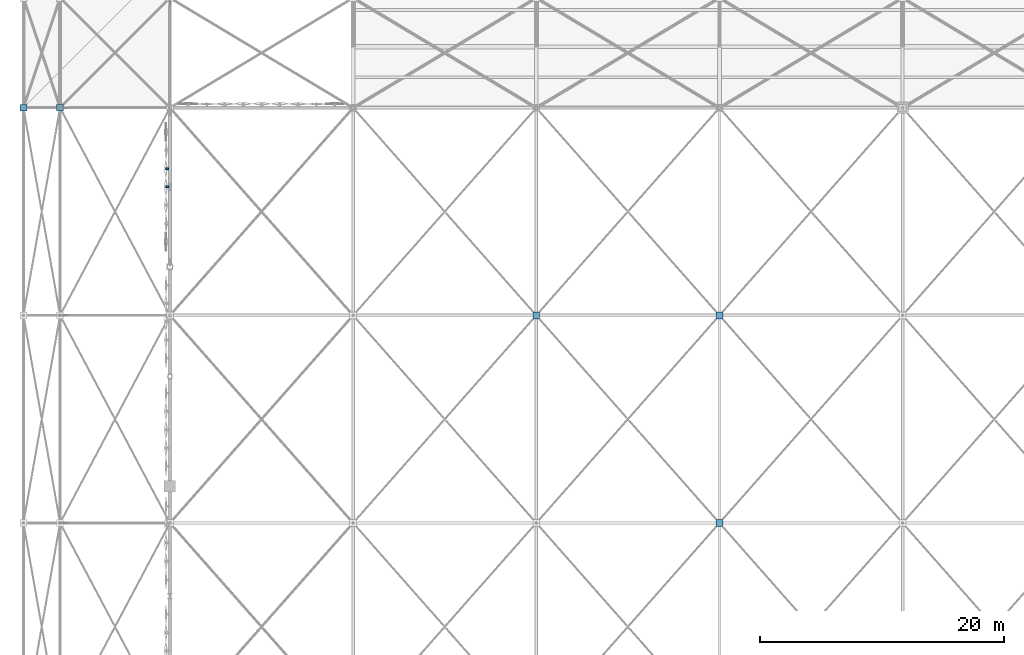
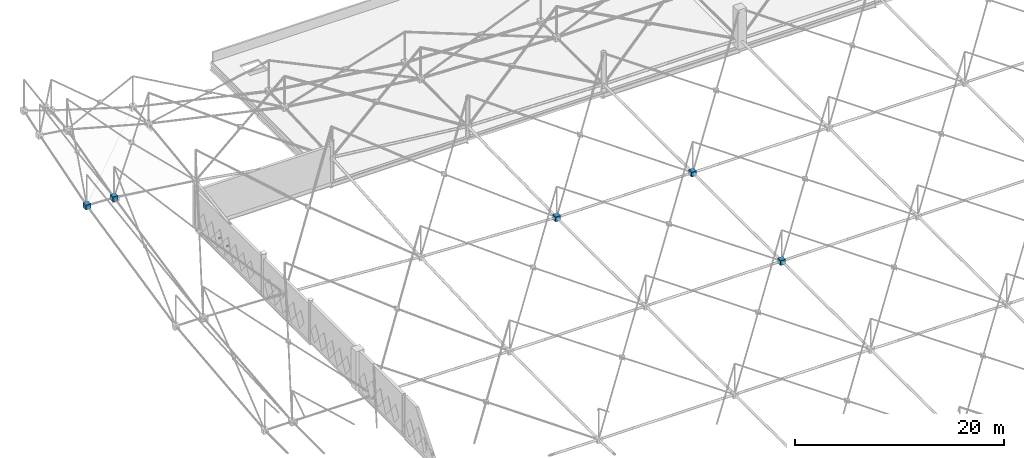
# One storey, part 209 of 224: 7 discrete accessories.
"""IFC4 building model written with IfcOpenShell, lengths in metres."""

from ifc_helpers import new_model, si_unit, direction, frame, origin, origin_2d, place, context, subcontext, project, spatial, rectangle, extrude, material, type_object, element, save


model = new_model("IFC4")

# Units and contexts
model_context = context("Model", 3, precision=1e-05, world=origin(), true_north=direction((0.0, 1.0)))
body_context = subcontext(model_context, "Body", "Model", "MODEL_VIEW")
ifc_project = project(units=[si_unit("LENGTHUNIT", "METRE"), si_unit("AREAUNIT", "SQUARE_METRE"), si_unit("VOLUMEUNIT", "CUBIC_METRE"), si_unit("PLANEANGLEUNIT", "RADIAN"), si_unit("MASSUNIT", "GRAM", prefix="KILO")], contexts=[model_context])

# Site, building, storey
site_placement = place(None, origin())
site = spatial("IfcSite", under=ifc_project, at=site_placement, CompositionType="ELEMENT")
building_placement = place(site_placement, origin())
building = spatial("IfcBuilding", under=site, at=building_placement, Name="Qamarlyn Nura Convention Centre", CompositionType="ELEMENT")
storey_placement = place(building_placement, frame((0.0, 0.0, 10.800048828125)))
storey = spatial("IfcBuildingStorey", under=building, at=storey_placement, Name="L02", CompositionType="ELEMENT", Elevation=10.800048828125)

# Discrete accessories
ifc_material_1 = material(Name="Pearl-white PVDF steel ASTM A500 Grade C", Category="steel")
discrete_accessory_type_1 = type_object("IfcDiscreteAccessoryType", Name="ACC-SF-NODE", PredefinedType="USERDEFINED", material=ifc_material_1)
for number, where, z_axis, x_axis, name in (
    (1, (-12.0, 103.0, 6.327392578125), (0.0, 0.0, 1.0), (1.0, 0.0, 0.0), "Cast space frame node BC-0-7"),
    (2, (-9.0, 103.0, 6.2255859375), (0.0, 0.0, 1.0), (1.0, 0.0, 0.0), "Cast space frame node BC-1-7"),
    (3, (30.0, 86.0, 0.548828125), (0.0, 0.0, 1.0), (1.0, 0.0, 0.0), "Cast space frame node BC-4-6"),
    (4, (45.0, 69.0, 0.52001953125), (0.0, 0.0, 1.0), (1.0, 0.0, 0.0), "Cast space frame node BC-5-5"),
    (5, (45.0, 86.0, 0.52001953125), (0.0, 0.0, 1.0), (1.0, 0.0, 0.0), "Cast space frame node BC-5-6"),
):
    element("IfcDiscreteAccessory", number, at=place(storey_placement, frame(where, z_axis=z_axis, x_axis=x_axis)), inside=storey, type_object=discrete_accessory_type_1, Name=name, ObjectType="SPACE FRAME NODE", PredefinedType="USERDEFINED", context=body_context, shape_type="SweptSolid", body=[
        extrude(rectangle(XDim=0.56005859375, YDim=0.56005859375, at=origin_2d()), origin(), (0.0, 0.0, 1.0), 0.56005859375),
    ])
ifc_material_2 = material(Name="Marine Grade 316 stainless steel", Category="steel")
discrete_accessory_type_2 = type_object("IfcDiscreteAccessoryType", Name="ACC-TILE-BRK", PredefinedType="BRACKET", material=ifc_material_2)
for number, where, z_axis, x_axis, name in (
    (6, (-0.2265625, 96.520751953125, 1.6201171875), (0.0, 0.0, 1.0), (-1.0, 0.0, 0.0), "L02 diamond tile pivot bracket 0238"),
    (7, (-0.2265625, 98.020751953125, 1.6201171875), (0.0, 0.0, 1.0), (-1.0, 0.0, 0.0), "L02 diamond tile pivot bracket 0239"),
):
    element("IfcDiscreteAccessory", number, at=place(storey_placement, frame(where, z_axis=z_axis, x_axis=x_axis)), inside=storey, type_object=discrete_accessory_type_2, Name=name, PredefinedType="BRACKET", context=body_context, shape_type="SweptSolid", body=[
        extrude(rectangle(XDim=0.23291015625, YDim=0.159912109375, at=origin_2d()), origin(), (0.0, 0.0, 1.0), 0.159912109375),
    ])

save(model, "model.ifc")
